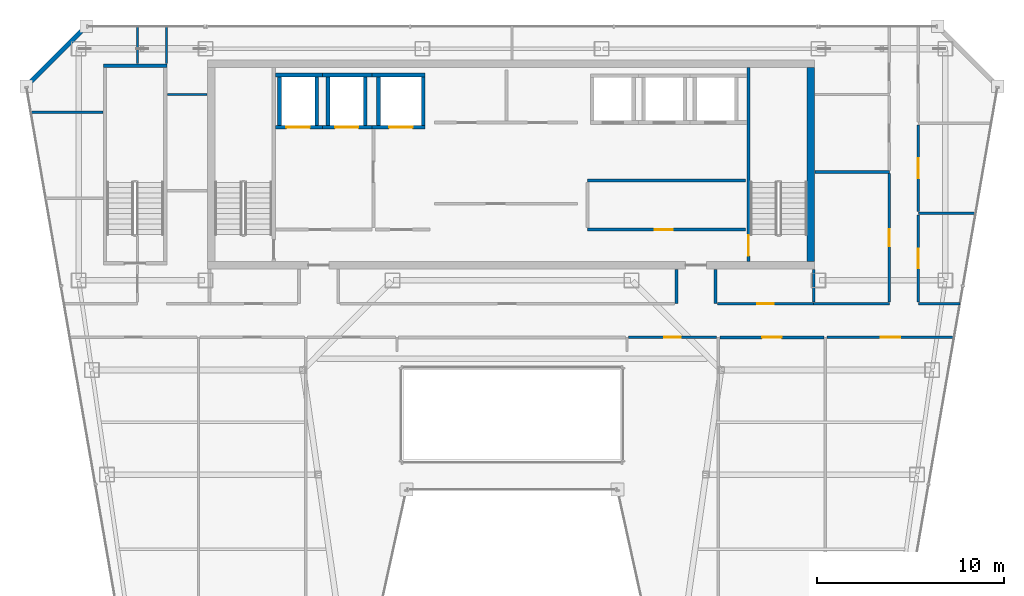
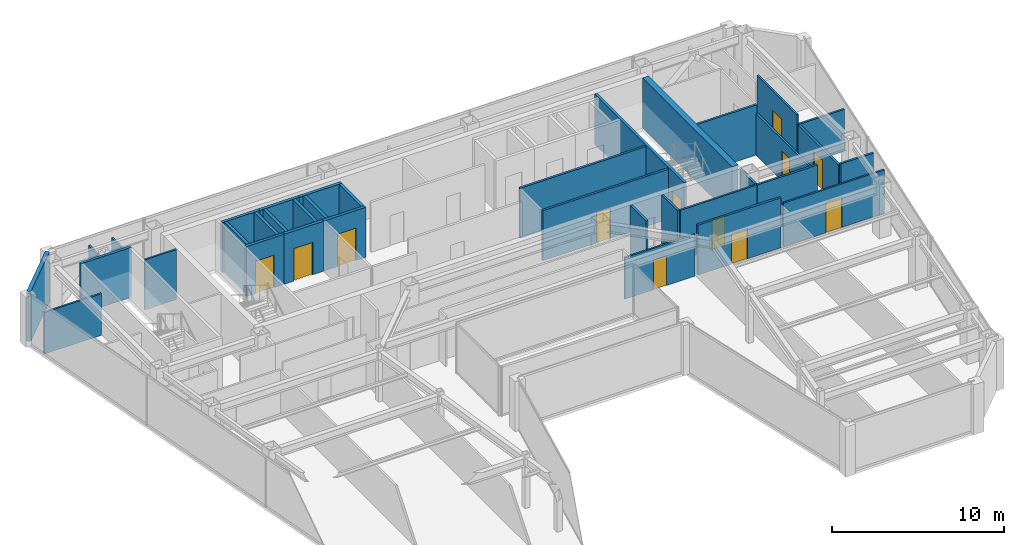
# One storey, part 27 of 32: 36 walls, 12 doors, 12 openings.
"""IFC4 building model written with IfcOpenShell, lengths in metres."""

from ifc_helpers import new_model, si_unit, direction, frame, frame_2d, origin, place, context, subcontext, project, spatial, rectangle, extrude, material, layer, layer_set, type_object, element, fill, save


model = new_model("IFC4")

# Units and contexts
model_context = context("Model", 3, precision=1e-05, world=origin(), true_north=direction((0.0, 1.0)))
body_context = subcontext(model_context, "Body", "Model", "MODEL_VIEW")
ifc_project = project(units=[si_unit("LENGTHUNIT", "METRE"), si_unit("AREAUNIT", "SQUARE_METRE"), si_unit("VOLUMEUNIT", "CUBIC_METRE"), si_unit("PLANEANGLEUNIT", "RADIAN"), si_unit("MASSUNIT", "GRAM", prefix="KILO")], contexts=[model_context])

# Site, building, storey
site_placement = place(None, origin())
site = spatial("IfcSite", under=ifc_project, at=site_placement, CompositionType="ELEMENT")
building_placement = place(site_placement, origin())
building = spatial("IfcBuilding", under=site, at=building_placement, Name="Saevonmaru Cultural Tower", CompositionType="ELEMENT")
storey_placement = place(building_placement, frame((0.0, 0.0, 245.800048828125)))
storey = spatial("IfcBuildingStorey", under=building, at=storey_placement, Name="L57", CompositionType="ELEMENT", Elevation=245.800048828125)

# Wall
ifc_material_1 = material(Name="Concrete C50/60", Category="concrete")
ifc_layer_1 = layer(ifc_material_1, 0.39990234375, Name="Concrete C50/60")
ifc_layer_set_1 = layer_set([ifc_layer_1], Name="Concrete C50/60")
wall_type_1 = type_object("IfcWallType", Name="WL-CORE-400", PredefinedType="SHEAR", material=ifc_layer_set_1)
wall_1_placement = place(storey_placement, frame((46.0, 43.39990234375, 0.0), z_axis=(0.0, 0.0, 1.0), x_axis=(0.0, 1.0, 0.0)))
element("IfcWall", 1, at=wall_1_placement, inside=storey, type_object=wall_type_1, Name="L57 Tower RC core shear wall E", PredefinedType="SHEAR", context=body_context, shape_type="SweptSolid", body=[
    extrude(rectangle(XDim=10.400146484375, YDim=0.39990234375, at=frame_2d((5.2001953125, 0.0))), origin(), (0.0, 0.0, 1.0), 3.550048828125),
])

# Wall, opening, door
ifc_material_2 = material(Name="Gypsum Fireboard Partition", Category="gypsum")
ifc_layer_2 = layer(ifc_material_2, 0.14990234375, Name="Gypsum Fireboard Partition")
ifc_layer_set_2 = layer_set([ifc_layer_2], Name="Gypsum Fireboard Partition")
wall_type_2 = type_object("IfcWallType", Name="WL-CORE-PART-150", PredefinedType="PARTITIONING", material=ifc_layer_set_2)
wall_2_placement = place(storey_placement, frame((34.050048828125, 45.1201171875, 0.0), z_axis=(0.0, 0.0, 1.0), x_axis=(1.0, 0.0, 0.0)))
wall_2 = element("IfcWall", 2, at=wall_2_placement, inside=storey, type_object=wall_type_2, Name="L57 Core Service South Wall", PredefinedType="PARTITIONING", context=body_context, shape_type="SweptSolid", body=[
    extrude(rectangle(XDim=8.449951171875, YDim=0.14990234375, at=frame_2d((4.22509765625, 0.0))), origin(), (0.0, 0.0, 1.0), 3.550048828125),
])
opening_1_placement = place(wall_2_placement, frame((3.60009765625, 0.0, 0.0)))
opening_1 = element("IfcOpeningElement", 3, at=opening_1_placement, cuts=wall_2, Name="Opening FD-4", PredefinedType="OPENING", context=body_context, shape_type="SweptSolid", body=[
    extrude(rectangle(XDim=0.949951171875, YDim=2.14990234375, at=frame_2d((0.47509765625, 1.074951171875))), frame((0.0, 0.0849609375, 0.0), z_axis=(0.0, -1.0, 0.0), x_axis=(1.0, 0.0, 0.0)), (0.0, 0.0, 1.0), 0.169921875),
])
ifc_material_3 = material(Name="Satin Bronze Anodised Aluminium", Category="aluminium")
door_type_1 = type_object("IfcDoorType", Name="DR-FD60-950", OperationType="SINGLE_SWING_LEFT", PredefinedType="DOOR", material=ifc_material_3)
door_1_placement = place(opening_1_placement, origin())
door_1 = element("IfcDoor", 4, at=door_1_placement, inside=storey, type_object=door_type_1, Name="L57 Telecom Riser Plant Door", OperationType="SINGLE_SWING_LEFT", OverallHeight=2.14990234375, OverallWidth=0.949951171875, PredefinedType="DOOR", context=body_context, shape_type="SweptSolid", body=[
    extrude(rectangle(XDim=0.949951171875, YDim=2.14990234375, at=frame_2d((0.47509765625, 1.074951171875))), frame((0.0, 0.02490234375, 0.0), z_axis=(0.0, -1.0, 0.0), x_axis=(1.0, 0.0, 0.0)), (0.0, 0.0, 1.0), 0.050048828125),
])
fill(opening_1, door_1)

# Walls
wall_3_placement = place(storey_placement, frame((34.050048828125, 47.75, 0.0), z_axis=(0.0, 0.0, 1.0), x_axis=(1.0, 0.0, 0.0)))
element("IfcWall", 5, at=wall_3_placement, inside=storey, type_object=wall_type_2, Name="L57 Core Service North Wall", PredefinedType="PARTITIONING", context=body_context, shape_type="SweptSolid", body=[
    extrude(rectangle(XDim=8.449951171875, YDim=0.14990234375, at=frame_2d((4.22509765625, 0.0))), origin(), (0.0, 0.0, 1.0), 3.550048828125),
])
ifc_material_4 = material(Name="Granite-Clad Precast Concrete C40/50", Category="masonry")
ifc_layer_3 = layer(ifc_material_4, 0.260009765625, Name="Granite-Clad Precast Concrete C40/50")
ifc_layer_set_3 = layer_set([ifc_layer_3], Name="Granite-Clad Precast Concrete C40/50")
wall_type_3 = type_object("IfcWallType", Name="WL-EXT-SPANDREL-260", PredefinedType="STANDARD", material=ifc_layer_set_3)
wall_4_placement = place(storey_placement, frame((7.0869140625, 55.886962890625, 0.0), z_axis=(0.0, 0.0, 1.0), x_axis=(-0.707106781187, -0.707106781187, 0.0)))
element("IfcWall", 6, at=wall_4_placement, inside=storey, type_object=wall_type_3, Name="L57 Chamfer Corner Spandrel Wall E11", PredefinedType="STANDARD", context=body_context, shape_type="SweptSolid", body=[
    extrude(rectangle(XDim=4.205810546875, YDim=0.260009765625, at=frame_2d((2.10302734375, 0.0))), origin(), (0.0, 0.0, 1.0), 3.550048828125),
])

# Wall, opening, door
ifc_layer_4 = layer(ifc_material_2, 0.14990234375, Name="Gypsum Fireboard Partition")
ifc_layer_set_4 = layer_set([ifc_layer_4], Name="Gypsum Fireboard Partition")
wall_type_4 = type_object("IfcWallType", Name="WL-PART-FIRE-150", PredefinedType="PARTITIONING", material=ifc_layer_set_4)
wall_5_placement = place(storey_placement, frame((51.75, 41.237548828125, 0.0), z_axis=(0.0, 0.0, 1.0), x_axis=(0.0, 1.0, 0.0)))
wall_5 = element("IfcWall", 7, at=wall_5_placement, inside=storey, type_object=wall_type_4, Name="L57 East Asian Ceramics Gallery Corridor Wall", PredefinedType="PARTITIONING", context=body_context, shape_type="SweptSolid", body=[
    extrude(rectangle(XDim=4.675048828125, YDim=0.14990234375, at=frame_2d((2.33740234375, 0.0))), origin(), (0.0, 0.0, 1.0), 2.947021484375),
])
opening_2_placement = place(wall_5_placement, frame((1.81298828125, 0.0, 0.0)))
opening_2 = element("IfcOpeningElement", 8, at=opening_2_placement, cuts=wall_5, Name="Opening ID-1", PredefinedType="OPENING", context=body_context, shape_type="SweptSolid", body=[
    extrude(rectangle(XDim=1.050048828125, YDim=2.14990234375, at=frame_2d((0.52490234375, 1.074951171875))), frame((0.0, 0.0849609375, 0.0), z_axis=(0.0, -1.0, 0.0), x_axis=(1.0, 0.0, 0.0)), (0.0, 0.0, 1.0), 0.169921875),
])
door_type_2 = type_object("IfcDoorType", Name="DR-INT-1050", OperationType="SINGLE_SWING_LEFT", PredefinedType="DOOR", material=ifc_material_3)
door_2_placement = place(opening_2_placement, origin())
door_2 = element("IfcDoor", 9, at=door_2_placement, inside=storey, type_object=door_type_2, Name="L57 East Asian Ceramics Gallery Door", OperationType="SINGLE_SWING_RIGHT", OverallHeight=2.14990234375, OverallWidth=1.050048828125, PredefinedType="DOOR", context=body_context, shape_type="SweptSolid", body=[
    extrude(rectangle(XDim=1.050048828125, YDim=2.14990234375, at=frame_2d((0.52490234375, 1.074951171875))), frame((0.0, 0.02490234375, 0.0), z_axis=(0.0, -1.0, 0.0), x_axis=(1.0, 0.0, 0.0)), (0.0, 0.0, 1.0), 0.050048828125),
])
fill(opening_2, door_2)

# Walls
for number, where, z_axis, x_axis, name in (
    (10, (38.800048828125, 41.14990234375, 0.0), (0.0, 0.0, 1.0), (0.0, 1.0, 0.0), "L57 Core Portal Side Wall E1"),
    (11, (40.89990234375, 41.14990234375, 0.0), (0.0, 0.0, 1.0), (0.0, 1.0, 0.0), "L57 Core Portal Side Wall E2"),
):
    element("IfcWall", number, at=place(storey_placement, frame(where, z_axis=z_axis, x_axis=x_axis)), inside=storey, type_object=wall_type_4, Name=name, PredefinedType="PARTITIONING", context=body_context, shape_type="SweptSolid", body=[
        extrude(rectangle(XDim=1.830078125, YDim=0.14990234375, at=frame_2d((0.9150390625, 0.0))), origin(), (0.0, 0.0, 1.0), 3.550048828125),
    ])

# Wall, opening, door
wall_6_placement = place(storey_placement, frame((41.12744140625, 39.35009765625, 0.0), z_axis=(0.0, 0.0, 1.0), x_axis=(1.0, 0.0, 0.0)))
wall_6 = element("IfcWall", 12, at=wall_6_placement, inside=storey, type_object=wall_type_4, Name="L57 East Asian Ceramics Gallery Corridor Wall", PredefinedType="PARTITIONING", context=body_context, shape_type="SweptSolid", body=[
    extrude(rectangle(XDim=5.56494140625, YDim=0.14990234375, at=frame_2d((2.782470703125, 0.0))), origin(), (0.0, 0.0, 1.0), 3.550048828125),
])
opening_3_placement = place(wall_6_placement, frame((2.258056640625, 0.0, 0.0)))
opening_3 = element("IfcOpeningElement", 13, at=opening_3_placement, cuts=wall_6, Name="Opening ID-1", PredefinedType="OPENING", context=body_context, shape_type="SweptSolid", body=[
    extrude(rectangle(XDim=1.050048828125, YDim=2.14990234375, at=frame_2d((0.52490234375, 1.074951171875))), frame((0.0, 0.0849609375, 0.0), z_axis=(0.0, -1.0, 0.0), x_axis=(1.0, 0.0, 0.0)), (0.0, 0.0, 1.0), 0.169921875),
])
door_3_placement = place(opening_3_placement, origin())
door_3 = element("IfcDoor", 14, at=door_3_placement, inside=storey, type_object=door_type_2, Name="L57 East Asian Ceramics Gallery Door", OperationType="SINGLE_SWING_RIGHT", OverallHeight=2.14990234375, OverallWidth=1.050048828125, PredefinedType="DOOR", context=body_context, shape_type="SweptSolid", body=[
    extrude(rectangle(XDim=1.050048828125, YDim=2.14990234375, at=frame_2d((0.52490234375, 1.074951171875))), frame((0.0, 0.02490234375, 0.0), z_axis=(0.0, -1.0, 0.0), x_axis=(1.0, 0.0, 0.0)), (0.0, 0.0, 1.0), 0.050048828125),
])
fill(opening_3, door_3)

# Walls
ifc_layer_5 = layer(ifc_material_2, 0.1201171875, Name="Gypsum Fireboard Partition")
ifc_layer_set_5 = layer_set([ifc_layer_5], Name="Gypsum Fireboard Partition")
wall_type_5 = type_object("IfcWallType", Name="WL-PART-GYP-120", PredefinedType="PARTITIONING", material=ifc_layer_set_5)
wall_7_placement = place(storey_placement, frame((11.550048828125, 52.35009765625, 0.0), z_axis=(0.0, 0.0, 1.0), x_axis=(1.0, 0.0, 0.0)))
element("IfcWall", 15, at=wall_7_placement, inside=storey, type_object=wall_type_5, Name="L57 North-West Panorama South Wall", PredefinedType="PARTITIONING", context=body_context, shape_type="SweptSolid", body=[
    extrude(rectangle(XDim=2.1298828125, YDim=0.1201171875, at=frame_2d((1.06494140625, 0.0))), origin(), (0.0, 0.0, 1.0), 3.550048828125),
])
wall_8_placement = place(storey_placement, frame((11.5, 54.0, 0.0), z_axis=(0.0, 0.0, 1.0), x_axis=(0.0, 1.0, 0.0)))
element("IfcWall", 16, at=wall_8_placement, inside=storey, type_object=wall_type_5, Name="L57 Literature Seminar Meeting Room Corridor Wall", PredefinedType="PARTITIONING", context=body_context, shape_type="SweptSolid", body=[
    extrude(rectangle(XDim=1.9951171875, YDim=0.1201171875, at=frame_2d((0.99755859375, 0.0))), origin(), (0.0, 0.0, 1.0), 2.93505859375),
])
wall_9_placement = place(storey_placement, frame((4.247802734375, 51.39990234375, 0.0), z_axis=(0.0, 0.0, 1.0), x_axis=(1.0, 0.0, 0.0)))
element("IfcWall", 17, at=wall_9_placement, inside=storey, type_object=wall_type_5, Name="L57 NW Studio Divider 2", PredefinedType="PARTITIONING", context=body_context, shape_type="SweptSolid", body=[
    extrude(rectangle(XDim=3.852294921875, YDim=0.1201171875, at=frame_2d((1.92626953125, 0.0))), origin(), (0.0, 0.0, 1.0), 2.947021484375),
])
wall_10_placement = place(storey_placement, frame((9.949951171875, 54.0, 0.0), z_axis=(0.0, 0.0, 1.0), x_axis=(0.0, 1.0, 0.0)))
element("IfcWall", 18, at=wall_10_placement, inside=storey, type_object=wall_type_5, Name="L57 Literature Seminar Meeting Room Corridor Wall", PredefinedType="PARTITIONING", context=body_context, shape_type="SweptSolid", body=[
    extrude(rectangle(XDim=1.9951171875, YDim=0.1201171875, at=frame_2d((0.99755859375, 0.0))), origin(), (0.0, 0.0, 1.0), 2.93505859375),
])

# Wall, opening, door
wall_11_placement = place(storey_placement, frame((51.75, 46.08740234375, 0.0), z_axis=(0.0, 0.0, 1.0), x_axis=(0.0, 1.0, 0.0)))
wall_11 = element("IfcWall", 19, at=wall_11_placement, inside=storey, type_object=wall_type_5, Name="L57 Rare Folio Reading Room Corridor Wall", PredefinedType="PARTITIONING", context=body_context, shape_type="SweptSolid", body=[
    extrude(rectangle(XDim=4.625, YDim=0.1201171875, at=frame_2d((2.3125, 0.0))), origin(), (0.0, 0.0, 1.0), 3.550048828125),
])
opening_4_placement = place(wall_11_placement, frame((1.7880859375, 0.0, 0.0)))
opening_4 = element("IfcOpeningElement", 20, at=opening_4_placement, cuts=wall_11, Name="Opening ID-1", PredefinedType="OPENING", context=body_context, shape_type="SweptSolid", body=[
    extrude(rectangle(XDim=1.050048828125, YDim=2.14990234375, at=frame_2d((0.52490234375, 1.074951171875))), frame((0.0, 0.070068359375, 0.0), z_axis=(0.0, -1.0, 0.0), x_axis=(1.0, 0.0, 0.0)), (0.0, 0.0, 1.0), 0.14013671875),
])
door_4_placement = place(opening_4_placement, origin())
door_4 = element("IfcDoor", 21, at=door_4_placement, inside=storey, type_object=door_type_2, Name="L57 Rare Folio Reading Room Door", OperationType="SINGLE_SWING_LEFT", OverallHeight=2.14990234375, OverallWidth=1.050048828125, PredefinedType="DOOR", context=body_context, shape_type="SweptSolid", body=[
    extrude(rectangle(XDim=1.050048828125, YDim=2.14990234375, at=frame_2d((0.52490234375, 1.074951171875))), frame((0.0, 0.02490234375, 0.0), z_axis=(0.0, -1.0, 0.0), x_axis=(1.0, 0.0, 0.0)), (0.0, 0.0, 1.0), 0.050048828125),
])
fill(opening_4, door_4)

wall_12_placement = place(storey_placement, frame((40.9951171875, 41.14990234375, 0.0), z_axis=(0.0, 0.0, 1.0), x_axis=(1.0, 0.0, 0.0)))
wall_12 = element("IfcWall", 22, at=wall_12_placement, inside=storey, type_object=wall_type_5, Name="L57 Literature Seminar Meeting Room Corridor Wall", PredefinedType="PARTITIONING", context=body_context, shape_type="SweptSolid", body=[
    extrude(rectangle(XDim=5.15478515625, YDim=0.1201171875, at=frame_2d((2.577392578125, 0.0))), origin(), (0.0, 0.0, 1.0), 3.550048828125),
])
opening_5_placement = place(wall_12_placement, frame((2.1279296875, 0.0, 0.0)))
opening_5 = element("IfcOpeningElement", 23, at=opening_5_placement, cuts=wall_12, Name="Opening ID-2", PredefinedType="OPENING", context=body_context, shape_type="SweptSolid", body=[
    extrude(rectangle(XDim=0.89990234375, YDim=2.10009765625, at=frame_2d((0.449951171875, 1.050048828125))), frame((0.0, 0.070068359375, 0.0), z_axis=(0.0, -1.0, 0.0), x_axis=(1.0, 0.0, 0.0)), (0.0, 0.0, 1.0), 0.14013671875),
])
ifc_material_5 = material(Name="Acoustic Stained Oak Timber", Category="wood")
door_type_3 = type_object("IfcDoorType", Name="DR-INT-900", OperationType="SINGLE_SWING_RIGHT", PredefinedType="DOOR", material=ifc_material_5)
door_5_placement = place(opening_5_placement, origin())
door_5 = element("IfcDoor", 24, at=door_5_placement, inside=storey, type_object=door_type_3, Name="L57 Literature Seminar Meeting Room Door", OperationType="SINGLE_SWING_LEFT", OverallHeight=2.10009765625, OverallWidth=0.89990234375, PredefinedType="DOOR", context=body_context, shape_type="SweptSolid", body=[
    extrude(rectangle(XDim=0.89990234375, YDim=2.10009765625, at=frame_2d((0.449951171875, 1.050048828125))), frame((0.0, 0.02490234375, 0.0), z_axis=(0.0, -1.0, 0.0), x_axis=(1.0, 0.0, 0.0)), (0.0, 0.0, 1.0), 0.050048828125),
])
fill(opening_5, door_5)

wall_13_placement = place(storey_placement, frame((36.22998046875, 39.35009765625, 0.0), z_axis=(0.0, 0.0, 1.0), x_axis=(1.0, 0.0, 0.0)))
wall_13 = element("IfcWall", 25, at=wall_13_placement, inside=storey, type_object=wall_type_5, Name="L57 Literature Seminar Meeting Room Corridor Wall", PredefinedType="PARTITIONING", context=body_context, shape_type="SweptSolid", body=[
    extrude(rectangle(XDim=4.722412109375, YDim=0.1201171875, at=frame_2d((2.361328125, 0.0))), origin(), (0.0, 0.0, 1.0), 2.947021484375),
])
opening_6_placement = place(wall_13_placement, frame((1.910888671875, 0.0, 0.0)))
opening_6 = element("IfcOpeningElement", 26, at=opening_6_placement, cuts=wall_13, Name="Opening ID-2", PredefinedType="OPENING", context=body_context, shape_type="SweptSolid", body=[
    extrude(rectangle(XDim=0.89990234375, YDim=2.10009765625, at=frame_2d((0.449951171875, 1.050048828125))), frame((0.0, 0.070068359375, 0.0), z_axis=(0.0, -1.0, 0.0), x_axis=(1.0, 0.0, 0.0)), (0.0, 0.0, 1.0), 0.14013671875),
])
door_6_placement = place(opening_6_placement, origin())
door_6 = element("IfcDoor", 27, at=door_6_placement, inside=storey, type_object=door_type_3, Name="L57 Literature Seminar Meeting Room Door", OperationType="SINGLE_SWING_LEFT", OverallHeight=2.10009765625, OverallWidth=0.89990234375, PredefinedType="DOOR", context=body_context, shape_type="SweptSolid", body=[
    extrude(rectangle(XDim=0.89990234375, YDim=2.10009765625, at=frame_2d((0.449951171875, 1.050048828125))), frame((0.0, 0.02490234375, 0.0), z_axis=(0.0, -1.0, 0.0), x_axis=(1.0, 0.0, 0.0)), (0.0, 0.0, 1.0), 0.050048828125),
])
fill(opening_6, door_6)

wall_14_placement = place(storey_placement, frame((46.867431640625, 39.35009765625, 0.0), z_axis=(0.0, 0.0, 1.0), x_axis=(1.0, 0.0, 0.0)))
wall_14 = element("IfcWall", 28, at=wall_14_placement, inside=storey, type_object=wall_type_5, Name="L57 Rare Folio Reading Room Corridor Wall", PredefinedType="PARTITIONING", context=body_context, shape_type="SweptSolid", body=[
    extrude(rectangle(XDim=6.796142578125, YDim=0.1201171875, at=frame_2d((3.39794921875, 0.0))), origin(), (0.0, 0.0, 1.0), 3.0849609375),
])
opening_7_placement = place(wall_14_placement, frame((2.873046875, 0.0, 0.0)))
opening_7 = element("IfcOpeningElement", 29, at=opening_7_placement, cuts=wall_14, Name="Opening ID-1", PredefinedType="OPENING", context=body_context, shape_type="SweptSolid", body=[
    extrude(rectangle(XDim=1.050048828125, YDim=2.14990234375, at=frame_2d((0.52490234375, 1.074951171875))), frame((0.0, 0.070068359375, 0.0), z_axis=(0.0, -1.0, 0.0), x_axis=(1.0, 0.0, 0.0)), (0.0, 0.0, 1.0), 0.14013671875),
])
door_7_placement = place(opening_7_placement, origin())
door_7 = element("IfcDoor", 30, at=door_7_placement, inside=storey, type_object=door_type_2, Name="L57 Rare Folio Reading Room Door", OperationType="SINGLE_SWING_LEFT", OverallHeight=2.14990234375, OverallWidth=1.050048828125, PredefinedType="DOOR", context=body_context, shape_type="SweptSolid", body=[
    extrude(rectangle(XDim=1.050048828125, YDim=2.14990234375, at=frame_2d((0.52490234375, 1.074951171875))), frame((0.0, 0.02490234375, 0.0), z_axis=(0.0, -1.0, 0.0), x_axis=(1.0, 0.0, 0.0)), (0.0, 0.0, 1.0), 0.050048828125),
])
fill(opening_7, door_7)

# Walls
ifc_layer_6 = layer(ifc_material_2, 0.135009765625, Name="Gypsum Fireboard Partition")
ifc_layer_set_6 = layer_set([ifc_layer_6], Name="Gypsum Fireboard Partition")
wall_type_6 = type_object("IfcWallType", Name="WL-PART-GYP-135", PredefinedType="PARTITIONING", material=ifc_layer_set_6)
wall_15_placement = place(storey_placement, frame((51.75, 41.14990234375, 0.0), z_axis=(0.0, 0.0, 1.0), x_axis=(1.0, 0.0, 0.0)))
element("IfcWall", 31, at=wall_15_placement, inside=storey, type_object=wall_type_6, Name="L57 NE Wing South Wall", PredefinedType="PARTITIONING", context=body_context, shape_type="SweptSolid", body=[
    extrude(rectangle(XDim=2.2255859375, YDim=0.135009765625, at=frame_2d((1.11279296875, 0.0))), origin(), (0.0, 0.0, 1.0), 3.0849609375),
])
wall_16_placement = place(storey_placement, frame((51.75, 46.0, 0.0), z_axis=(0.0, 0.0, 1.0), x_axis=(1.0, 0.0, 0.0)))
element("IfcWall", 32, at=wall_16_placement, inside=storey, type_object=wall_type_6, Name="L57 NE Studio Divider 1", PredefinedType="PARTITIONING", context=body_context, shape_type="SweptSolid", body=[
    extrude(rectangle(XDim=3.06640625, YDim=0.135009765625, at=frame_2d((1.533203125, 0.0))), origin(), (0.0, 0.0, 1.0), 2.947021484375),
])
ifc_layer_7 = layer(ifc_material_2, 0.139892578125, Name="Gypsum Fireboard Partition")
ifc_layer_set_7 = layer_set([ifc_layer_7], Name="Gypsum Fireboard Partition")
wall_type_7 = type_object("IfcWallType", Name="WL-PART-WET-140", PredefinedType="PARTITIONING", material=ifc_layer_set_7)
wall_17_placement = place(storey_placement, frame((46.14990234375, 41.14990234375, 0.0), z_axis=(0.0, 0.0, 1.0), x_axis=(1.0, 0.0, 0.0)))
element("IfcWall", 33, at=wall_17_placement, inside=storey, type_object=wall_type_7, Name="L57 Washroom South Wall", PredefinedType="PARTITIONING", context=body_context, shape_type="SweptSolid", body=[
    extrude(rectangle(XDim=4.050048828125, YDim=0.139892578125, at=frame_2d((2.02490234375, 0.0))), origin(), (0.0, 0.0, 1.0), 3.550048828125),
])
wall_18_placement = place(storey_placement, frame((46.14990234375, 41.239990234375, 0.0), z_axis=(0.0, 0.0, 1.0), x_axis=(0.0, 1.0, 0.0)))
element("IfcWall", 34, at=wall_18_placement, inside=storey, type_object=wall_type_7, Name="L57 Washroom South-West Return", PredefinedType="PARTITIONING", context=body_context, shape_type="SweptSolid", body=[
    extrude(rectangle(XDim=1.739990234375, YDim=0.139892578125, at=frame_2d((0.8701171875, 0.0))), origin(), (0.0, 0.0, 1.0), 3.550048828125),
])
wall_19_placement = place(storey_placement, frame((46.219970703125, 48.199951171875, 0.0), z_axis=(0.0, 0.0, 1.0), x_axis=(1.0, 0.0, 0.0)))
element("IfcWall", 35, at=wall_19_placement, inside=storey, type_object=wall_type_7, Name="L57 Washroom North Wall", PredefinedType="PARTITIONING", context=body_context, shape_type="SweptSolid", body=[
    extrude(rectangle(XDim=3.97998046875, YDim=0.139892578125, at=frame_2d((1.989990234375, 0.0))), origin(), (0.0, 0.0, 1.0), 3.550048828125),
])

# Wall, opening, door
wall_20_placement = place(storey_placement, frame((50.199951171875, 41.239990234375, 0.0), z_axis=(0.0, 0.0, 1.0), x_axis=(0.0, 1.0, 0.0)))
wall_20 = element("IfcWall", 36, at=wall_20_placement, inside=storey, type_object=wall_type_7, Name="L57 Washroom Corridor Wall", PredefinedType="PARTITIONING", context=body_context, shape_type="SweptSolid", body=[
    extrude(rectangle(XDim=6.8701171875, YDim=0.139892578125, at=frame_2d((3.43505859375, 0.0))), origin(), (0.0, 0.0, 1.0), 2.947021484375),
])
opening_8_placement = place(wall_20_placement, frame((2.985107421875, 0.0, 0.0)))
opening_8 = element("IfcOpeningElement", 37, at=opening_8_placement, cuts=wall_20, Name="Opening ID-2", PredefinedType="OPENING", context=body_context, shape_type="SweptSolid", body=[
    extrude(rectangle(XDim=0.89990234375, YDim=2.10009765625, at=frame_2d((0.449951171875, 1.050048828125))), frame((0.0, 0.080078125, 0.0), z_axis=(0.0, -1.0, 0.0), x_axis=(1.0, 0.0, 0.0)), (0.0, 0.0, 1.0), 0.159912109375),
])
door_8_placement = place(opening_8_placement, origin())
door_8 = element("IfcDoor", 38, at=door_8_placement, inside=storey, type_object=door_type_3, Name="L57 Public Accessible Washrooms Door", OperationType="SINGLE_SWING_RIGHT", OverallHeight=2.10009765625, OverallWidth=0.89990234375, PredefinedType="DOOR", context=body_context, shape_type="SweptSolid", body=[
    extrude(rectangle(XDim=0.89990234375, YDim=2.10009765625, at=frame_2d((0.449951171875, 1.050048828125))), frame((0.0, 0.02490234375, 0.0), z_axis=(0.0, -1.0, 0.0), x_axis=(1.0, 0.0, 0.0)), (0.0, 0.0, 1.0), 0.050048828125),
])
fill(opening_8, door_8)

ifc_material_6 = material(Name="Concrete C40/50", Category="concrete")
ifc_layer_8 = layer(ifc_material_6, 0.199951171875, Name="Concrete C40/50")
ifc_layer_set_8 = layer_set([ifc_layer_8], Name="Concrete C40/50")
wall_type_8 = type_object("IfcWallType", Name="WL-SHAFT-200", PredefinedType="SHEAR", material=ifc_layer_set_8)
wall_21_placement = place(storey_placement, frame((17.330078125, 50.60009765625, 0.0), z_axis=(0.0, 0.0, 1.0), x_axis=(1.0, 0.0, 0.0)))
wall_21 = element("IfcWall", 39, at=wall_21_placement, inside=storey, type_object=wall_type_8, Name="L57 Lift FFL-1 Hoistway Wall S", PredefinedType="SHEAR", context=body_context, shape_type="SweptSolid", body=[
    extrude(rectangle(XDim=2.52001953125, YDim=0.199951171875, at=frame_2d((1.260009765625, 0.0))), origin(), (0.0, 0.0, 1.0), 3.550048828125),
])
opening_9_placement = place(wall_21_placement, frame((0.594970703125, 0.0, 0.0)))
opening_9 = element("IfcOpeningElement", 40, at=opening_9_placement, cuts=wall_21, Name="Opening LD-2", PredefinedType="OPENING", context=body_context, shape_type="SweptSolid", body=[
    extrude(rectangle(XDim=1.25, YDim=2.300048828125, at=frame_2d((0.625, 1.14990234375))), frame((0.0, 0.10986328125, 0.0), z_axis=(0.0, -1.0, 0.0), x_axis=(1.0, 0.0, 0.0)), (0.0, 0.0, 1.0), 0.219970703125),
])
ifc_material_7 = material(Name="Stainless Steel 316", Category="steel")
door_type_4 = type_object("IfcDoorType", Name="DR-LIFT-1250", OperationType="SLIDING_TO_LEFT", PredefinedType="DOOR", material=ifc_material_7)
door_9_placement = place(opening_9_placement, origin())
door_9 = element("IfcDoor", 41, at=door_9_placement, inside=storey, type_object=door_type_4, Name="L57 Lift FFL-1 Sliding Landing Door", OperationType="SLIDING_TO_LEFT", OverallHeight=2.300048828125, OverallWidth=1.25, PredefinedType="DOOR", context=body_context, shape_type="SweptSolid", body=[
    extrude(rectangle(XDim=1.25, YDim=2.300048828125, at=frame_2d((0.625, 1.14990234375))), frame((0.0, 0.02490234375, 0.0), z_axis=(0.0, -1.0, 0.0), x_axis=(1.0, 0.0, 0.0)), (0.0, 0.0, 1.0), 0.050048828125),
])
fill(opening_9, door_9)

# Walls
wall_22_placement = place(storey_placement, frame((17.330078125, 53.39990234375, 0.0), z_axis=(0.0, 0.0, 1.0), x_axis=(1.0, 0.0, 0.0)))
element("IfcWall", 42, at=wall_22_placement, inside=storey, type_object=wall_type_8, Name="L57 Lift FFL-1 Hoistway Wall N", PredefinedType="SHEAR", context=body_context, shape_type="SweptSolid", body=[
    extrude(rectangle(XDim=2.52001953125, YDim=0.199951171875, at=frame_2d((1.260009765625, 0.0))), origin(), (0.0, 0.0, 1.0), 3.550048828125),
])
for number, where, z_axis, x_axis, name in (
    (43, (17.550048828125, 50.699951171875, 0.0), (0.0, 0.0, 1.0), (0.0, 1.0, 0.0), "L57 Lift FFL-1 Hoistway Wall W"),
    (44, (19.550048828125, 50.699951171875, 0.0), (0.0, 0.0, 1.0), (0.0, 1.0, 0.0), "L57 Lift FFL-1 Hoistway Wall E"),
):
    element("IfcWall", number, at=place(storey_placement, frame(where, z_axis=z_axis, x_axis=x_axis)), inside=storey, type_object=wall_type_8, Name=name, PredefinedType="SHEAR", context=body_context, shape_type="SweptSolid", body=[
        extrude(rectangle(XDim=2.60009765625, YDim=0.199951171875, at=frame_2d((1.300048828125, 0.0))), origin(), (0.0, 0.0, 1.0), 3.550048828125),
    ])

# Wall, opening, door
wall_23_placement = place(storey_placement, frame((19.85009765625, 50.60009765625, 0.0), z_axis=(0.0, 0.0, 1.0), x_axis=(1.0, 0.0, 0.0)))
wall_23 = element("IfcWall", 45, at=wall_23_placement, inside=storey, type_object=wall_type_8, Name="L57 Lift FFL-2 Hoistway Wall S", PredefinedType="SHEAR", context=body_context, shape_type="SweptSolid", body=[
    extrude(rectangle(XDim=2.64990234375, YDim=0.199951171875, at=frame_2d((1.324951171875, 0.0))), origin(), (0.0, 0.0, 1.0), 3.550048828125),
])
opening_10_placement = place(wall_23_placement, frame((0.675048828125, 0.0, 0.0)))
opening_10 = element("IfcOpeningElement", 46, at=opening_10_placement, cuts=wall_23, Name="Opening LD-2", PredefinedType="OPENING", context=body_context, shape_type="SweptSolid", body=[
    extrude(rectangle(XDim=1.25, YDim=2.300048828125, at=frame_2d((0.625, 1.14990234375))), frame((0.0, 0.10986328125, 0.0), z_axis=(0.0, -1.0, 0.0), x_axis=(1.0, 0.0, 0.0)), (0.0, 0.0, 1.0), 0.219970703125),
])
door_10_placement = place(opening_10_placement, origin())
door_10 = element("IfcDoor", 47, at=door_10_placement, inside=storey, type_object=door_type_4, Name="L57 Lift FFL-2 Sliding Landing Door", OperationType="SLIDING_TO_LEFT", OverallHeight=2.300048828125, OverallWidth=1.25, PredefinedType="DOOR", context=body_context, shape_type="SweptSolid", body=[
    extrude(rectangle(XDim=1.25, YDim=2.300048828125, at=frame_2d((0.625, 1.14990234375))), frame((0.0, 0.02490234375, 0.0), z_axis=(0.0, -1.0, 0.0), x_axis=(1.0, 0.0, 0.0)), (0.0, 0.0, 1.0), 0.050048828125),
])
fill(opening_10, door_10)

# Walls
wall_24_placement = place(storey_placement, frame((19.85009765625, 53.39990234375, 0.0), z_axis=(0.0, 0.0, 1.0), x_axis=(1.0, 0.0, 0.0)))
element("IfcWall", 48, at=wall_24_placement, inside=storey, type_object=wall_type_8, Name="L57 Lift FFL-2 Hoistway Wall N", PredefinedType="SHEAR", context=body_context, shape_type="SweptSolid", body=[
    extrude(rectangle(XDim=2.64990234375, YDim=0.199951171875, at=frame_2d((1.324951171875, 0.0))), origin(), (0.0, 0.0, 1.0), 3.550048828125),
])
for number, where, z_axis, x_axis, name in (
    (49, (20.14990234375, 50.699951171875, 0.0), (0.0, 0.0, 1.0), (0.0, 1.0, 0.0), "L57 Lift FFL-2 Hoistway Wall W"),
    (50, (22.14990234375, 50.699951171875, 0.0), (0.0, 0.0, 1.0), (0.0, 1.0, 0.0), "L57 Lift FFL-2 Hoistway Wall E"),
):
    element("IfcWall", number, at=place(storey_placement, frame(where, z_axis=z_axis, x_axis=x_axis)), inside=storey, type_object=wall_type_8, Name=name, PredefinedType="SHEAR", context=body_context, shape_type="SweptSolid", body=[
        extrude(rectangle(XDim=2.60009765625, YDim=0.199951171875, at=frame_2d((1.300048828125, 0.0))), origin(), (0.0, 0.0, 1.0), 3.550048828125),
    ])

# Wall, opening, door
wall_25_placement = place(storey_placement, frame((22.5, 50.60009765625, 0.0), z_axis=(0.0, 0.0, 1.0), x_axis=(1.0, 0.0, 0.0)))
wall_25 = element("IfcWall", 51, at=wall_25_placement, inside=storey, type_object=wall_type_8, Name="L57 Lift GL-1 Hoistway Wall S", PredefinedType="SHEAR", context=body_context, shape_type="SweptSolid", body=[
    extrude(rectangle(XDim=2.85009765625, YDim=0.199951171875, at=frame_2d((1.425048828125, 0.0))), origin(), (0.0, 0.0, 1.0), 3.550048828125),
])
opening_11_placement = place(wall_25_placement, frame((0.925048828125, 0.0, 0.0)))
opening_11 = element("IfcOpeningElement", 52, at=opening_11_placement, cuts=wall_25, Name="Opening LD-2", PredefinedType="OPENING", context=body_context, shape_type="SweptSolid", body=[
    extrude(rectangle(XDim=1.25, YDim=2.300048828125, at=frame_2d((0.625, 1.14990234375))), frame((0.0, 0.10986328125, 0.0), z_axis=(0.0, -1.0, 0.0), x_axis=(1.0, 0.0, 0.0)), (0.0, 0.0, 1.0), 0.219970703125),
])
door_11_placement = place(opening_11_placement, origin())
door_11 = element("IfcDoor", 53, at=door_11_placement, inside=storey, type_object=door_type_4, Name="L57 Lift GL-1 Sliding Landing Door", OperationType="SLIDING_TO_LEFT", OverallHeight=2.300048828125, OverallWidth=1.25, PredefinedType="DOOR", context=body_context, shape_type="SweptSolid", body=[
    extrude(rectangle(XDim=1.25, YDim=2.300048828125, at=frame_2d((0.625, 1.14990234375))), frame((0.0, 0.02490234375, 0.0), z_axis=(0.0, -1.0, 0.0), x_axis=(1.0, 0.0, 0.0)), (0.0, 0.0, 1.0), 0.050048828125),
])
fill(opening_11, door_11)

# Walls
wall_26_placement = place(storey_placement, frame((22.5, 53.39990234375, 0.0), z_axis=(0.0, 0.0, 1.0), x_axis=(1.0, 0.0, 0.0)))
element("IfcWall", 54, at=wall_26_placement, inside=storey, type_object=wall_type_8, Name="L57 Lift GL-1 Hoistway Wall N", PredefinedType="SHEAR", context=body_context, shape_type="SweptSolid", body=[
    extrude(rectangle(XDim=2.85009765625, YDim=0.199951171875, at=frame_2d((1.425048828125, 0.0))), origin(), (0.0, 0.0, 1.0), 3.550048828125),
])
for number, where, z_axis, x_axis, name in (
    (55, (22.85009765625, 50.699951171875, 0.0), (0.0, 0.0, 1.0), (0.0, 1.0, 0.0), "L57 Lift GL-1 Hoistway Wall W"),
    (56, (25.25, 50.699951171875, 0.0), (0.0, 0.0, 1.0), (0.0, 1.0, 0.0), "L57 Lift GL-1 Hoistway Wall E"),
):
    element("IfcWall", number, at=place(storey_placement, frame(where, z_axis=z_axis, x_axis=x_axis)), inside=storey, type_object=wall_type_8, Name=name, PredefinedType="SHEAR", context=body_context, shape_type="SweptSolid", body=[
        extrude(rectangle(XDim=2.60009765625, YDim=0.199951171875, at=frame_2d((1.300048828125, 0.0))), origin(), (0.0, 0.0, 1.0), 3.550048828125),
    ])

# Wall, opening, door
ifc_layer_9 = layer(ifc_material_6, 0.179931640625, Name="Concrete C40/50")
ifc_layer_set_9 = layer_set([ifc_layer_9], Name="Concrete C40/50")
wall_type_9 = type_object("IfcWallType", Name="WL-STSHAFT-180", PredefinedType="SHEAR", material=ifc_layer_set_9)
wall_27_placement = place(storey_placement, frame((42.659912109375, 53.800048828125, 0.0), z_axis=(0.0, 0.0, 1.0), x_axis=(0.0, -1.0, 0.0)))
wall_27 = element("IfcWall", 57, at=wall_27_placement, inside=storey, type_object=wall_type_9, Name="L57 Stair ST-2 Structural Shaft Wall 1", PredefinedType="SHEAR", context=body_context, shape_type="SweptSolid", body=[
    extrude(rectangle(XDim=10.400146484375, YDim=0.179931640625, at=frame_2d((5.2001953125, 0.0))), origin(), (0.0, 0.0, 1.0), 3.550048828125),
])
opening_12_placement = place(wall_27_placement, frame((8.989990234375, 0.0, 0.0)))
opening_12 = element("IfcOpeningElement", 58, at=opening_12_placement, cuts=wall_27, Name="Opening FD-2", PredefinedType="OPENING", context=body_context, shape_type="SweptSolid", body=[
    extrude(rectangle(XDim=1.10009765625, YDim=2.14990234375, at=frame_2d((0.550048828125, 1.074951171875))), frame((0.0, 0.10009765625, 0.0), z_axis=(0.0, -1.0, 0.0), x_axis=(1.0, 0.0, 0.0)), (0.0, 0.0, 1.0), 0.199951171875),
])
door_type_5 = type_object("IfcDoorType", Name="DR-FD60-1100", OperationType="SINGLE_SWING_LEFT", PredefinedType="DOOR", material=ifc_material_3)
door_12_placement = place(opening_12_placement, origin())
door_12 = element("IfcDoor", 59, at=door_12_placement, inside=storey, type_object=door_type_5, Name="L57 Protected Stair ST-2 Fire Door", OperationType="SINGLE_SWING_LEFT", OverallHeight=2.14990234375, OverallWidth=1.10009765625, PredefinedType="DOOR", context=body_context, shape_type="SweptSolid", body=[
    extrude(rectangle(XDim=1.10009765625, YDim=2.14990234375, at=frame_2d((0.550048828125, 1.074951171875))), frame((0.0, 0.02490234375, 0.0), z_axis=(0.0, -1.0, 0.0), x_axis=(1.0, 0.0, 0.0)), (0.0, 0.0, 1.0), 0.050048828125),
])
fill(opening_12, door_12)

# Wall
wall_28_placement = place(storey_placement, frame((11.530029296875, 53.889892578125, 0.0), z_axis=(0.0, 0.0, 1.0), x_axis=(-1.0, 0.0, 0.0)))
element("IfcWall", 60, at=wall_28_placement, inside=storey, type_object=wall_type_9, Name="L57 Stair ST-3 Structural Shaft Wall 3", PredefinedType="SHEAR", context=body_context, shape_type="SweptSolid", body=[
    extrude(rectangle(XDim=3.409912109375, YDim=0.179931640625, at=frame_2d((1.705078125, 0.0))), origin(), (0.0, 0.0, 1.0), 3.550048828125),
])

save(model, "model.ifc")
